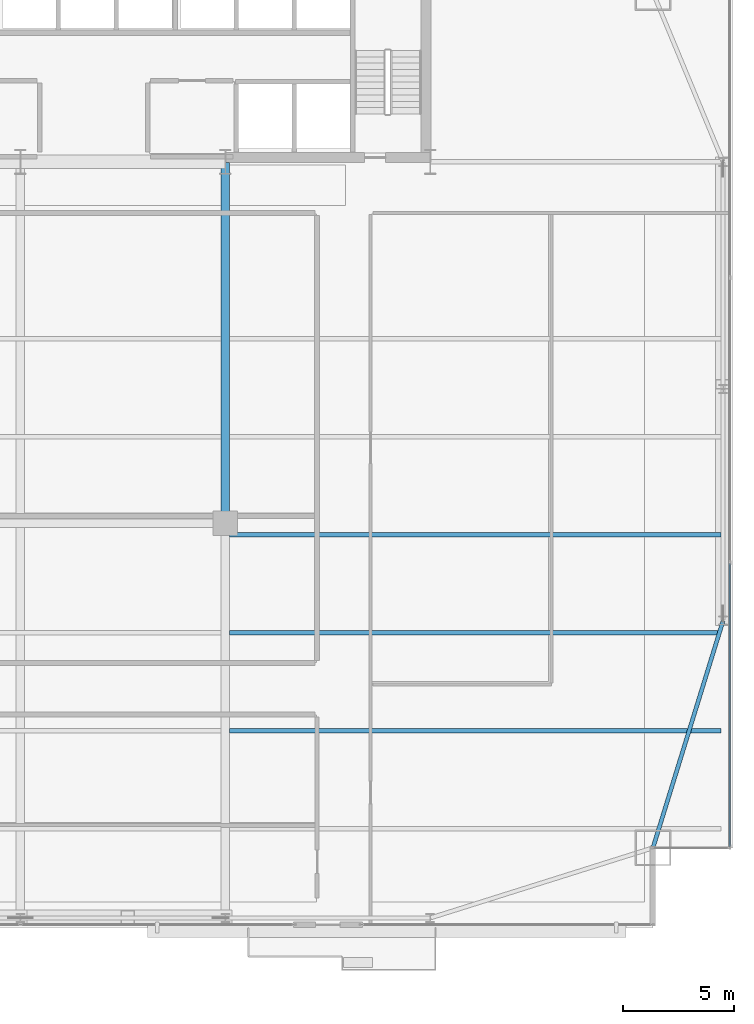
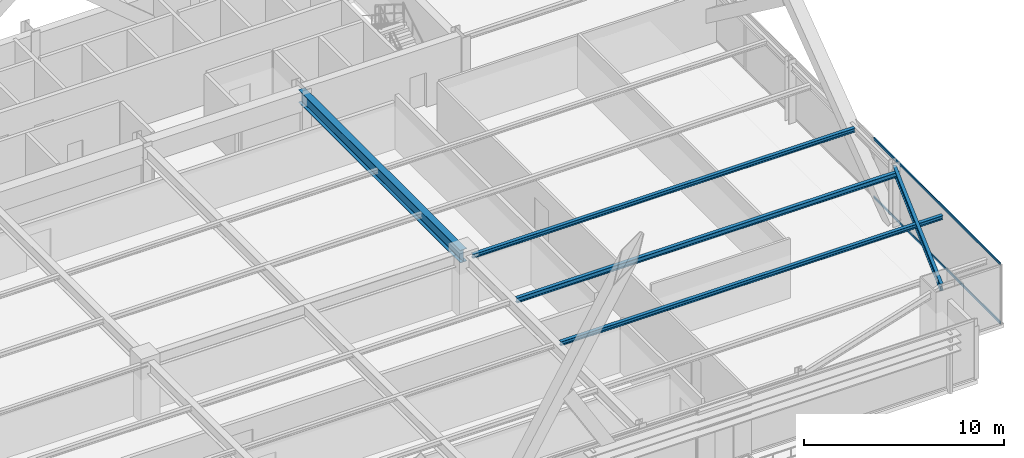
# One storey, part 16 of 32: 5 beams, 2 members, 1 element without a shape of its own.
"""IFC4 building model written with IfcOpenShell, lengths in metres."""

from ifc_helpers import new_model, si_unit, direction, frame, origin, origin_2d, place, context, subcontext, project, spatial, hollow_rectangle, i_section, extrude, source, transform, mapped, material, layer, layer_set, material_profile, profile_set, type_object, type_shapes, element, aggregate, save


model = new_model("IFC4")

# Units and contexts
model_context = context("Model", 3, precision=1e-05, world=origin(), true_north=direction((0.0, 1.0)))
body_context = subcontext(model_context, "Body", "Model", "MODEL_VIEW")
ifc_project = project(units=[si_unit("LENGTHUNIT", "METRE"), si_unit("AREAUNIT", "SQUARE_METRE"), si_unit("VOLUMEUNIT", "CUBIC_METRE"), si_unit("PLANEANGLEUNIT", "RADIAN"), si_unit("MASSUNIT", "GRAM", prefix="KILO")], contexts=[model_context])

# Site, building, storey
site_placement = place(None, origin())
site = spatial("IfcSite", under=ifc_project, at=site_placement, CompositionType="ELEMENT")
building_placement = place(site_placement, origin())
building = spatial("IfcBuilding", under=site, at=building_placement, Name="Varnel Quay Broadcast Tower", CompositionType="ELEMENT")
storey_placement = place(building_placement, frame((0.0, 0.0, 43.199951171875)))
storey = spatial("IfcBuildingStorey", under=building, at=storey_placement, Name="L09", CompositionType="ELEMENT", Elevation=43.199951171875)

# Beams
ifc_material_1 = material(Name="Structural Steel CSA G40.21 350W", Category="steel")
ifc_material_profile_1 = material_profile(ifc_material_1, i_section(OverallWidth=0.180908203125, OverallDepth=0.4169921875, WebThickness=0.010986328125, FlangeThickness=0.018310546875, FilletRadius=0.011962890625, at=origin_2d()), Name="W410X85")
ifc_profile_set_1 = profile_set([ifc_material_profile_1], Name="Structural Steel CSA G40.21 350W")
beam_type_1 = type_object("IfcBeamType", Name="Beam_W410X85", PredefinedType="SPANDREL", material=ifc_profile_set_1)
shared_shape_1 = source(origin(), body_context, "Body", "SweptSolid", [
    extrude(i_section(OverallWidth=0.180908203125, OverallDepth=0.4169921875, WebThickness=0.010986328125, FlangeThickness=0.018310546875, FilletRadius=0.011962890625, at=origin_2d()), origin(), (0.0, 0.0, 1.0), 10.635498046875),
])
type_shapes(beam_type_1, [shared_shape_1])
beam_1_placement = place(storey_placement, frame((62.406005859375, 4.819091796875, 3.441650390625), z_axis=(0.295069676324, 0.955475738108, 0.0), x_axis=(-0.955475738108, 0.295069676324, 0.0)))
element("IfcBeam", 1, at=beam_1_placement, inside=storey, type_object=beam_type_1, Name="L09 East Spandrel MC-SE-TC-E1", PredefinedType="SPANDREL", context=body_context, shape_type="MappedRepresentation", body=[
    mapped(shared_shape_1, transform((0.0, 0.0, 0.0), x_axis=(1.0, 0.0, 0.0), y_axis=(0.0, 1.0, 0.0), z_axis=(0.0, 0.0, 1.0), scale=1.0)),
])
ifc_material_profile_2 = material_profile(ifc_material_1, i_section(OverallWidth=0.381103515625, OverallDepth=0.77294921875, WebThickness=0.0166015625, FlangeThickness=0.027587890625, FilletRadius=0.01806640625, at=origin_2d()), Name="W760X257")
ifc_profile_set_2 = profile_set([ifc_material_profile_2], Name="Structural Steel CSA G40.21 350W")
beam_type_2 = type_object("IfcBeamType", Name="Girder_W760X257", PredefinedType="BEAM", material=ifc_profile_set_2)
shared_shape_2 = source(origin(), body_context, "Body", "SweptSolid", [
    extrude(i_section(OverallWidth=0.381103515625, OverallDepth=0.77294921875, WebThickness=0.0166015625, FlangeThickness=0.027587890625, FilletRadius=0.01806640625, at=origin_2d()), origin(), (0.0, 0.0, 1.0), 16.190185546875),
])
type_shapes(beam_type_2, [shared_shape_2])
beam_2_placement = place(storey_placement, frame((43.199951171875, 19.389892578125, 3.263427734375), z_axis=(0.0, 1.0, 0.0), x_axis=(-1.0, 0.0, 0.0)))
element("IfcBeam", 2, at=beam_2_placement, inside=storey, type_object=beam_type_2, Name="L09 Primary Girder IC-02-CC-S4", PredefinedType="BEAM", context=body_context, shape_type="MappedRepresentation", body=[
    mapped(shared_shape_2, transform((0.0, 0.0, 0.0), x_axis=(1.0, 0.0, 0.0), y_axis=(0.0, 1.0, 0.0), z_axis=(0.0, 0.0, 1.0), scale=1.0)),
])
ifc_material_profile_3 = material_profile(ifc_material_1, i_section(OverallWidth=0.202880859375, OverallDepth=0.302978515625, WebThickness=0.007568359375, FlangeThickness=0.01318359375, FilletRadius=0.011962890625, at=origin_2d()), Name="W310X60")
ifc_profile_set_3 = profile_set([ifc_material_profile_3], Name="Structural Steel CSA G40.21 350W")
beam_type_3 = type_object("IfcBeamType", Name="Beam_W310X60", PredefinedType="JOIST", material=ifc_profile_set_3)
shared_shape_3 = source(origin(), body_context, "Body", "SweptSolid", [
    extrude(i_section(OverallWidth=0.202880859375, OverallDepth=0.302978515625, WebThickness=0.007568359375, FlangeThickness=0.01318359375, FilletRadius=0.011962890625, at=origin_2d()), origin(), (0.0, 0.0, 1.0), 22.0791015625),
])
type_shapes(beam_type_3, [shared_shape_3])
beam_3_placement = place(storey_placement, frame((43.385498046875, 14.449951171875, 3.49853515625), z_axis=(1.0, 0.0, 0.0), x_axis=(0.0, 1.0, 0.0)))
element("IfcBeam", 3, at=beam_3_placement, inside=storey, type_object=beam_type_3, Name="L09 East Floor Joist 3", PredefinedType="JOIST", context=body_context, shape_type="MappedRepresentation", body=[
    mapped(shared_shape_3, transform((0.0, 0.0, 0.0), x_axis=(1.0, 0.0, 0.0), y_axis=(0.0, 1.0, 0.0), z_axis=(0.0, 0.0, 1.0), scale=1.0)),
])
ifc_material_profile_4 = material_profile(ifc_material_1, i_section(OverallWidth=0.201904296875, OverallDepth=0.2470703125, WebThickness=0.00732421875, FlangeThickness=0.010986328125, FilletRadius=0.010986328125, at=origin_2d()), Name="W250X49")
ifc_profile_set_4 = profile_set([ifc_material_profile_4], Name="Structural Steel CSA G40.21 350W")
beam_type_4 = type_object("IfcBeamType", Name="Beam_W250X49", PredefinedType="JOIST", material=ifc_profile_set_4)
shared_shape_4 = source(origin(), body_context, "Body", "SweptSolid", [
    extrude(i_section(OverallWidth=0.201904296875, OverallDepth=0.2470703125, WebThickness=0.00732421875, FlangeThickness=0.010986328125, FilletRadius=0.010986328125, at=origin_2d()), origin(), (0.0, 0.0, 1.0), 22.0791015625),
])
type_shapes(beam_type_4, [shared_shape_4])
for number, where, z_axis, x_axis, name in (
    (4, (43.385498046875, 10.050048828125, 3.526611328125), (1.0, 0.0, 0.0), (0.0, 1.0, 0.0), "L09 East Floor Joist 2"),
    (5, (43.385498046875, 18.85009765625, 3.526611328125), (1.0, 0.0, 0.0), (0.0, 1.0, 0.0), "L09 East Floor Joist 4"),
):
    element("IfcBeam", number, at=place(storey_placement, frame(where, z_axis=z_axis, x_axis=x_axis)), inside=storey, type_object=beam_type_4, Name=name, PredefinedType="JOIST", context=body_context, shape_type="MappedRepresentation", body=[
        mapped(shared_shape_4, transform((0.0, 0.0, 0.0), x_axis=(1.0, 0.0, 0.0), y_axis=(0.0, 1.0, 0.0), z_axis=(0.0, 0.0, 1.0), scale=1.0)),
    ])

# Curtain wall, members
ifc_material_2 = material(Name="Anodised Bronze Aluminium 6063-T6", Category="aluminium")
ifc_layer = layer(ifc_material_2, 0.18994140625, Name="Anodised Bronze Aluminium 6063-T6")
ifc_layer_set = layer_set([ifc_layer], Name="Anodised Bronze Aluminium 6063-T6")
curtain_wall_type = type_object("IfcCurtainWallType", Name="CW_LowerTower", PredefinedType="NOTDEFINED", material=ifc_layer_set)
curtain_wall_placement = place(storey_placement, origin())
curtain_wall = element("IfcCurtainWall", 6, at=curtain_wall_placement, inside=storey, type_object=curtain_wall_type, Name="L09 East Unitised Curtain Wall", PredefinedType="NOTDEFINED")
ifc_material_profile_5 = material_profile(ifc_material_2, hollow_rectangle(XDim=0.06005859375, YDim=0.14501953125, WallThickness=0.00341796875, at=origin_2d()), Name="ALU60X145X3.5")
ifc_profile_set_5 = profile_set([ifc_material_profile_5], Name="Anodised Bronze Aluminium 6063-T6")
member_type = type_object("IfcMemberType", Name="Tran_CWS-02", PredefinedType="USERDEFINED", material=ifc_profile_set_5)
shared_shape_5 = source(origin(), body_context, "Body", "SweptSolid", [
    extrude(hollow_rectangle(XDim=0.06005859375, YDim=0.14501953125, WallThickness=0.00341796875, at=origin_2d()), origin(), (0.0, 0.0, 1.0), 12.69482421875),
])
type_shapes(member_type, [shared_shape_5])
member_1_placement = place(storey_placement, frame((65.85009765625, 4.8701171875, 0.030029296875), z_axis=(0.0, 1.0, 0.0), x_axis=(-1.0, 0.0, 0.0)))
member_1 = element("IfcMember", 7, at=member_1_placement, type_object=member_type, Name="CWS-02 transom 1.1", ObjectType="TRANSOM", PredefinedType="USERDEFINED", context=body_context, shape_type="MappedRepresentation", body=[
    mapped(shared_shape_5, transform((0.0, 0.0, 0.0), x_axis=(1.0, 0.0, 0.0), y_axis=(0.0, 1.0, 0.0), z_axis=(0.0, 0.0, 1.0), scale=1.0)),
])
member_2_placement = place(storey_placement, frame((65.85009765625, 4.8701171875, 3.6201171875), z_axis=(0.0, 1.0, 0.0), x_axis=(-1.0, 0.0, 0.0)))
member_2 = element("IfcMember", 8, at=member_2_placement, type_object=member_type, Name="CWS-02 transom 1.2", ObjectType="TRANSOM", PredefinedType="USERDEFINED", context=body_context, shape_type="MappedRepresentation", body=[
    mapped(shared_shape_5, transform((0.0, 0.0, 0.0), x_axis=(1.0, 0.0, 0.0), y_axis=(0.0, 1.0, 0.0), z_axis=(0.0, 0.0, 1.0), scale=1.0)),
])
aggregate(curtain_wall, [member_1, member_2])

save(model, "model.ifc")
